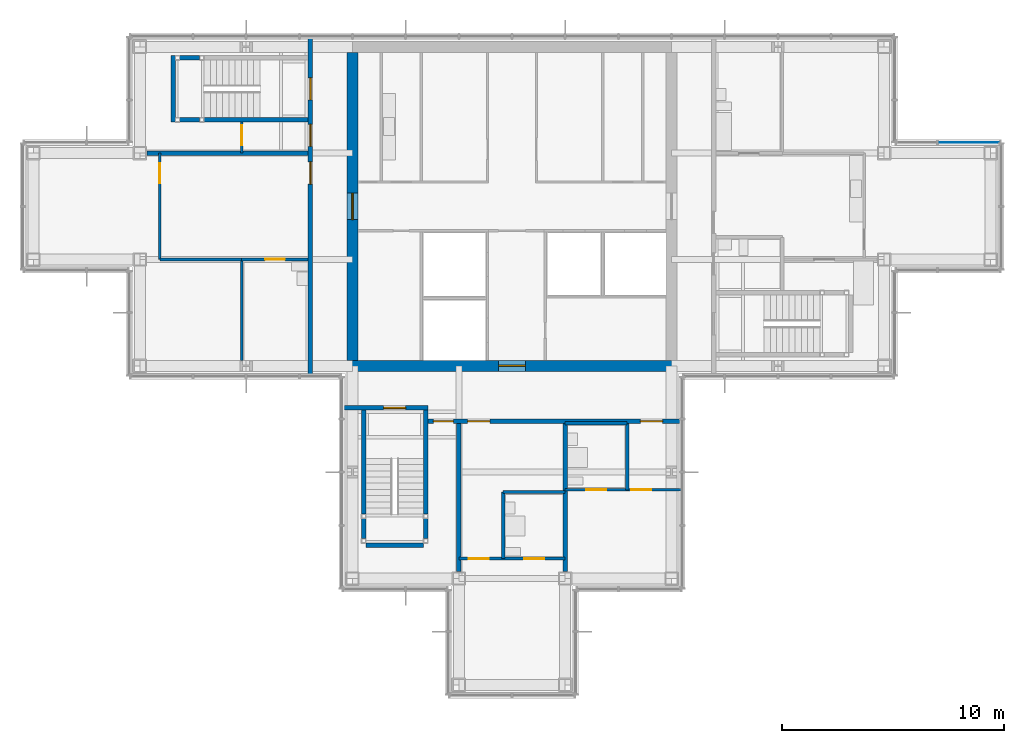
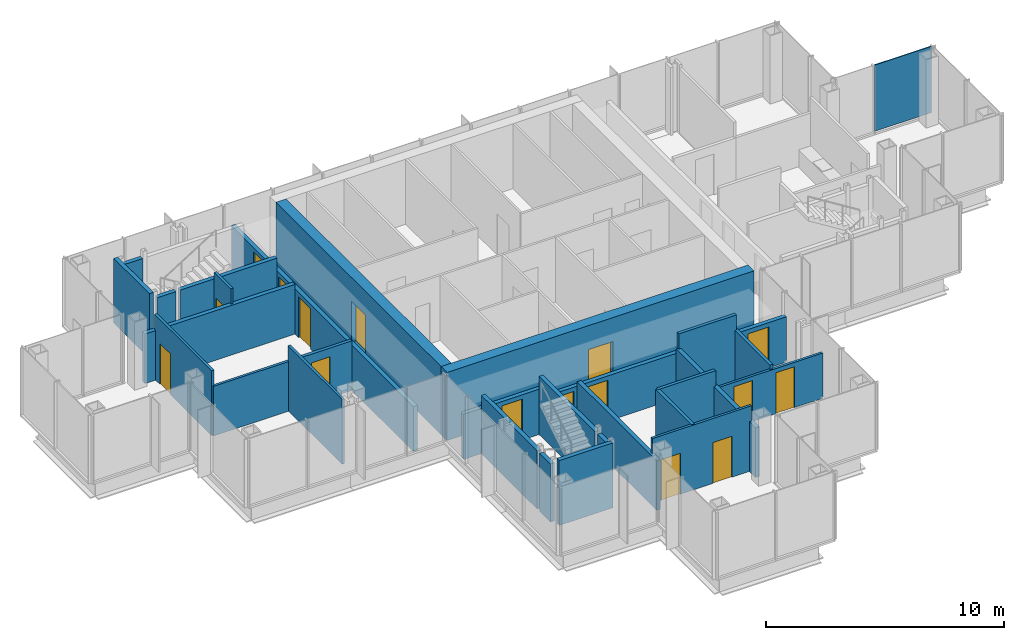
# One storey, part 10 of 15: 28 walls, 16 doors, 1 plate, 16 openings, 1 element without a shape of its own.
"""IFC4 building model written with IfcOpenShell, lengths in metres."""

from ifc_helpers import new_model, si_unit, direction, frame, frame_2d, origin, origin_2d, place, context, subcontext, project, spatial, rectangle, extrude, material, layer, layer_set, type_object, element, fill, aggregate, save


model = new_model("IFC4")

# Units and contexts
model_context = context("Model", 3, precision=1e-05, world=origin(), true_north=direction((0.0, 1.0)))
body_context = subcontext(model_context, "Body", "Model", "MODEL_VIEW")
ifc_project = project(units=[si_unit("LENGTHUNIT", "METRE"), si_unit("AREAUNIT", "SQUARE_METRE"), si_unit("VOLUMEUNIT", "CUBIC_METRE"), si_unit("PLANEANGLEUNIT", "RADIAN"), si_unit("MASSUNIT", "GRAM", prefix="KILO")], contexts=[model_context])

# Site, building, storey
site_placement = place(None, origin())
site = spatial("IfcSite", under=ifc_project, at=site_placement, CompositionType="ELEMENT")
building_placement = place(site_placement, origin())
building = spatial("IfcBuilding", under=site, at=building_placement, Name="Kvirike Care Tower", CompositionType="ELEMENT")
storey_placement = place(building_placement, frame((0.0, 0.0, 236.5)))
storey = spatial("IfcBuildingStorey", under=building, at=storey_placement, Name="L65", CompositionType="ELEMENT", Elevation=236.5)

# Curtain wall, plate
ifc_material_1 = material(Name="Anodised aluminium stick system", Category="aluminium")
curtain_wall_type = type_object("IfcCurtainWallType", Name="CW-D STICK CURTAIN WALL", PredefinedType="NOTDEFINED", material=ifc_material_1)
curtain_wall_placement = place(storey_placement, origin())
curtain_wall = element("IfcCurtainWall", 1, at=curtain_wall_placement, inside=storey, type_object=curtain_wall_type, Name="Curtain wall L65 face 5", PredefinedType="NOTDEFINED")
ifc_material_2 = material(Name="Tinted double glazed unit", Category="glass")
ifc_layer_1 = layer(ifc_material_2, 0.0439453125)
ifc_layer_set_1 = layer_set([ifc_layer_1], Name="TINTED VISION PANEL 44")
plate_type = type_object("IfcPlateType", Name="TINTED VISION PANEL 44", PredefinedType="CURTAIN_PANEL", material=ifc_layer_set_1)
plate_placement = place(storey_placement, frame((42.2236328125, 38.8798828125, 0.10009765625), z_axis=(0.0, 0.0, 1.0), x_axis=(-1.0, 0.0, 0.0)))
plate = element("IfcPlate", 2, at=plate_placement, type_object=plate_type, Name="CW-D panel L65 face 5.1", PredefinedType="CURTAIN_PANEL", context=body_context, shape_type="SweptSolid", body=[
    extrude(rectangle(XDim=2.782470703125, YDim=0.0439453125, at=origin_2d()), origin(), (0.0, 0.0, 1.0), 3.39990234375),
])
aggregate(curtain_wall, [plate])

# Wall, opening, door
ifc_material_3 = material(Name="Moisture-resistant board partition", Category="gypsum")
ifc_layer_2 = layer(ifc_material_3, 0.14990234375)
ifc_layer_set_2 = layer_set([ifc_layer_2], Name="BATHROOM WALL 150")
wall_type_1 = type_object("IfcWallType", Name="BATHROOM WALL 150", PredefinedType="PARTITIONING", material=ifc_layer_set_2)
wall_1_placement = place(storey_placement, frame((9.39990234375, 33.60009765625, 0.0), z_axis=(0.0, 0.0, 1.0), x_axis=(1.0, 0.0, 0.0)))
wall_1 = element("IfcWall", 3, at=wall_1_placement, inside=storey, type_object=wall_type_1, Name="Bathroom Wall 150 L65", PredefinedType="PARTITIONING", context=body_context, shape_type="SweptSolid", body=[
    extrude(rectangle(XDim=3.0, YDim=0.14990234375, at=frame_2d((1.5, 0.0))), origin(), (0.0, 0.0, 1.0), 2.550048828125),
])
opening_1_placement = place(wall_1_placement, frame((1.050048828125, 0.0, 0.0)))
opening_1 = element("IfcOpeningElement", 4, at=opening_1_placement, cuts=wall_1, Name="Opening 65-002", PredefinedType="OPENING", context=body_context, shape_type="SweptSolid", body=[
    extrude(rectangle(XDim=0.89990234375, YDim=2.10009765625, at=frame_2d((0.449951171875, 1.050048828125))), frame((0.0, 0.08544921875, 0.0), z_axis=(0.0, -1.0, 0.0), x_axis=(1.0, 0.0, 0.0)), (0.0, 0.0, 1.0), 0.1708984375),
])
ifc_material_4 = material(Name="Timber door set", Category="wood")
door_type_1 = type_object("IfcDoorType", Name="BATHROOM DOOR 900", OperationType="SINGLE_SWING_RIGHT", PredefinedType="DOOR", material=ifc_material_4)
door_1_placement = place(opening_1_placement, frame((0.89990234375, 0.0, 0.0), z_axis=(0.0, 0.0, 1.0), x_axis=(-1.0, 0.0, 0.0)))
door_1 = element("IfcDoor", 5, at=door_1_placement, inside=storey, type_object=door_type_1, Name="Accessible WC door", OperationType="SINGLE_SWING_RIGHT", OverallHeight=2.10009765625, OverallWidth=0.89990234375, PredefinedType="DOOR", context=body_context, shape_type="SweptSolid", body=[
    extrude(rectangle(XDim=0.89990234375, YDim=2.10009765625, at=frame_2d((0.449951171875, 1.050048828125))), frame((0.0, 0.02197265625, 0.0), z_axis=(0.0, -1.0, 0.0), x_axis=(1.0, 0.0, 0.0)), (0.0, 0.0, 1.0), 0.0439453125),
])
fill(opening_1, door_1)

# Walls
wall_2_placement = place(storey_placement, frame((21.199951171875, 20.10009765625, 0.0), z_axis=(0.0, 0.0, 1.0), x_axis=(0.0, 1.0, 0.0)))
element("IfcWall", 6, at=wall_2_placement, inside=storey, type_object=wall_type_1, Name="Bathroom Wall 150 L65", PredefinedType="PARTITIONING", context=body_context, shape_type="SweptSolid", body=[
    extrude(rectangle(XDim=3.0, YDim=0.14990234375, at=frame_2d((1.5, 0.0))), origin(), (0.0, 0.0, 1.0), 3.330078125),
])
wall_3_placement = place(storey_placement, frame((21.199951171875, 23.10009765625, 0.0), z_axis=(0.0, 0.0, 1.0), x_axis=(1.0, 0.0, 0.0)))
element("IfcWall", 7, at=wall_3_placement, inside=storey, type_object=wall_type_1, Name="Bathroom Wall 150 L65", PredefinedType="PARTITIONING", context=body_context, shape_type="SweptSolid", body=[
    extrude(rectangle(XDim=2.800048828125, YDim=0.14990234375, at=frame_2d((1.39990234375, 0.0))), origin(), (0.0, 0.0, 1.0), 3.330078125),
])
wall_4_placement = place(storey_placement, frame((26.800048828125, 23.199951171875, 0.0), z_axis=(0.0, 0.0, 1.0), x_axis=(0.0, 1.0, 0.0)))
element("IfcWall", 8, at=wall_4_placement, inside=storey, type_object=wall_type_1, Name="Bathroom Wall 150 L65", PredefinedType="PARTITIONING", context=body_context, shape_type="SweptSolid", body=[
    extrude(rectangle(XDim=3.0, YDim=0.14990234375, at=frame_2d((1.5, 0.0))), origin(), (0.0, 0.0, 1.0), 2.550048828125),
])
wall_5_placement = place(storey_placement, frame((24.0, 26.199951171875, 0.0), z_axis=(0.0, 0.0, 1.0), x_axis=(1.0, 0.0, 0.0)))
element("IfcWall", 9, at=wall_5_placement, inside=storey, type_object=wall_type_1, Name="Bathroom Wall 150 L65", PredefinedType="PARTITIONING", context=body_context, shape_type="SweptSolid", body=[
    extrude(rectangle(XDim=2.800048828125, YDim=0.14990234375, at=frame_2d((1.39990234375, 0.0))), origin(), (0.0, 0.0, 1.0), 3.330078125),
])

# Wall, opening, door
ifc_material_5 = material(Name="Concrete C40/50", Category="concrete")
ifc_layer_3 = layer(ifc_material_5, 0.5)
ifc_layer_set_3 = layer_set([ifc_layer_3], Name="CORE WALL 500 C40-50")
wall_type_2 = type_object("IfcWallType", Name="CORE WALL 500 C40-50", PredefinedType="SHEAR", material=ifc_layer_set_3)
wall_6_placement = place(storey_placement, frame((14.14990234375, 28.800048828125, -0.169921875), z_axis=(0.0, 0.0, 1.0), x_axis=(1.0, 0.0, 0.0)))
wall_6 = element("IfcWall", 10, at=wall_6_placement, inside=storey, type_object=wall_type_2, Name="Core wall S L65", PredefinedType="SHEAR", context=body_context, shape_type="SweptSolid", body=[
    extrude(rectangle(XDim=14.900146484375, YDim=0.5, at=frame_2d((7.4501953125, 0.0))), origin(), (0.0, 0.0, 1.0), 3.5),
])
opening_2_placement = place(wall_6_placement, frame((6.85009765625, 0.0, 0.169921875)))
opening_2 = element("IfcOpeningElement", 11, at=opening_2_placement, cuts=wall_6, Name="Opening 65-034", PredefinedType="OPENING", context=body_context, shape_type="SweptSolid", body=[
    extrude(rectangle(XDim=1.199951171875, YDim=2.10009765625, at=frame_2d((0.60009765625, 1.050048828125))), frame((0.0, 0.260498046875, 0.0), z_axis=(0.0, -1.0, 0.0), x_axis=(1.0, 0.0, 0.0)), (0.0, 0.0, 1.0), 0.52099609375),
])
ifc_material_6 = material(Name="Timber door set", Category="wood")
door_type_2 = type_object("IfcDoorType", Name="CORE DOOR 1200", OperationType="SINGLE_SWING_LEFT", PredefinedType="DOOR", material=ifc_material_6)
door_2_placement = place(opening_2_placement, origin())
door_2 = element("IfcDoor", 12, at=door_2_placement, inside=storey, type_object=door_type_2, Name="Core door S L65", OperationType="SINGLE_SWING_LEFT", OverallHeight=2.10009765625, OverallWidth=1.199951171875, PredefinedType="DOOR", context=body_context, shape_type="SweptSolid", body=[
    extrude(rectangle(XDim=1.199951171875, YDim=2.10009765625, at=frame_2d((0.60009765625, 1.050048828125))), frame((0.0, 0.02685546875, 0.0), z_axis=(0.0, -1.0, 0.0), x_axis=(1.0, 0.0, 0.0)), (0.0, 0.0, 1.0), 0.053955078125),
])
fill(opening_2, door_2)

wall_7_placement = place(storey_placement, frame((14.39990234375, 42.949951171875, -0.169921875), z_axis=(0.0, 0.0, 1.0), x_axis=(0.0, -1.0, 0.0)))
wall_7 = element("IfcWall", 13, at=wall_7_placement, inside=storey, type_object=wall_type_2, Name="Core wall W L65", PredefinedType="SHEAR", context=body_context, shape_type="SweptSolid", body=[
    extrude(rectangle(XDim=13.89990234375, YDim=0.5, at=frame_2d((6.949951171875, 0.0))), origin(), (0.0, 0.0, 1.0), 3.5),
])
opening_3_placement = place(wall_7_placement, frame((6.35009765625, 0.0, 0.169921875)))
opening_3 = element("IfcOpeningElement", 14, at=opening_3_placement, cuts=wall_7, Name="Opening 65-035", PredefinedType="OPENING", context=body_context, shape_type="SweptSolid", body=[
    extrude(rectangle(XDim=1.199951171875, YDim=2.10009765625, at=frame_2d((0.60009765625, 1.050048828125))), frame((0.0, 0.260498046875, 0.0), z_axis=(0.0, -1.0, 0.0), x_axis=(1.0, 0.0, 0.0)), (0.0, 0.0, 1.0), 0.52099609375),
])
door_3_placement = place(opening_3_placement, origin())
door_3 = element("IfcDoor", 15, at=door_3_placement, inside=storey, type_object=door_type_2, Name="Core door W L65", OperationType="SINGLE_SWING_LEFT", OverallHeight=2.10009765625, OverallWidth=1.199951171875, PredefinedType="DOOR", context=body_context, shape_type="SweptSolid", body=[
    extrude(rectangle(XDim=1.199951171875, YDim=2.10009765625, at=frame_2d((0.60009765625, 1.050048828125))), frame((0.0, 0.02685546875, 0.0), z_axis=(0.0, -1.0, 0.0), x_axis=(1.0, 0.0, 0.0)), (0.0, 0.0, 1.0), 0.053955078125),
])
fill(opening_3, door_3)

# Wall, openings, doors
ifc_material_7 = material(Name="Plasterboard corridor wall", Category="gypsum")
ifc_layer_4 = layer(ifc_material_7, 0.199951171875)
ifc_layer_set_4 = layer_set([ifc_layer_4], Name="CORRIDOR WALL 200")
wall_type_3 = type_object("IfcWallType", Name="CORRIDOR WALL 200", PredefinedType="PARTITIONING", material=ifc_layer_set_4)
wall_8_placement = place(storey_placement, frame((12.5, 43.655029296875, 0.0), z_axis=(0.0, 0.0, 1.0), x_axis=(0.0, -1.0, 0.0)))
wall_8 = element("IfcWall", 16, at=wall_8_placement, inside=storey, type_object=wall_type_3, Name="Corridor Wall 200 L65", PredefinedType="PARTITIONING", context=body_context, shape_type="SweptSolid", body=[
    extrude(rectangle(XDim=15.31005859375, YDim=0.199951171875, at=frame_2d((7.655029296875, 0.0))), origin(), (0.0, 0.0, 1.0), 2.320068359375),
])
opening_4_placement = place(wall_8_placement, frame((1.85498046875, 0.0, 0.0)))
opening_4 = element("IfcOpeningElement", 17, at=opening_4_placement, cuts=wall_8, Name="Opening 65-004", PredefinedType="OPENING", context=body_context, shape_type="SweptSolid", body=[
    extrude(rectangle(XDim=1.0, YDim=2.10009765625, at=frame_2d((0.5, 1.050048828125))), frame((0.0, 0.110595703125, 0.0), z_axis=(0.0, -1.0, 0.0), x_axis=(1.0, 0.0, 0.0)), (0.0, 0.0, 1.0), 0.220947265625),
])
opening_5_placement = place(wall_8_placement, frame((3.955078125, 0.0, 0.0)))
opening_5 = element("IfcOpeningElement", 18, at=opening_5_placement, cuts=wall_8, Name="Opening 65-005", PredefinedType="OPENING", context=body_context, shape_type="SweptSolid", body=[
    extrude(rectangle(XDim=1.0, YDim=2.10009765625, at=frame_2d((0.5, 1.050048828125))), frame((0.0, 0.110595703125, 0.0), z_axis=(0.0, -1.0, 0.0), x_axis=(1.0, 0.0, 0.0)), (0.0, 0.0, 1.0), 0.220947265625),
])
opening_6_placement = place(wall_8_placement, frame((5.655029296875, 0.0, 0.0)))
opening_6 = element("IfcOpeningElement", 19, at=opening_6_placement, cuts=wall_8, Name="Opening 65-006", PredefinedType="OPENING", context=body_context, shape_type="SweptSolid", body=[
    extrude(rectangle(XDim=1.0, YDim=2.10009765625, at=frame_2d((0.5, 1.050048828125))), frame((0.0, 0.110595703125, 0.0), z_axis=(0.0, -1.0, 0.0), x_axis=(1.0, 0.0, 0.0)), (0.0, 0.0, 1.0), 0.220947265625),
])
ifc_material_8 = material(Name="Timber door set", Category="wood")
door_type_3 = type_object("IfcDoorType", Name="FLAT ENTRANCE DOOR 1000", OperationType="SINGLE_SWING_LEFT", PredefinedType="DOOR", material=ifc_material_8)
door_4_placement = place(opening_5_placement, frame((1.0, 0.0, 0.0), z_axis=(0.0, 0.0, 1.0), x_axis=(-1.0, 0.0, 0.0)))
door_4 = element("IfcDoor", 20, at=door_4_placement, inside=storey, type_object=door_type_3, Name="Care base entrance", OperationType="SINGLE_SWING_LEFT", OverallHeight=2.10009765625, OverallWidth=1.0, PredefinedType="DOOR", context=body_context, shape_type="SweptSolid", body=[
    extrude(rectangle(XDim=1.0, YDim=2.10009765625, at=frame_2d((0.5, 1.050048828125))), frame((0.0, 0.02685546875, 0.0), z_axis=(0.0, -1.0, 0.0), x_axis=(1.0, 0.0, 0.0)), (0.0, 0.0, 1.0), 0.053955078125),
])
fill(opening_5, door_4)
door_5_placement = place(opening_6_placement, frame((1.0, 0.0, 0.0), z_axis=(0.0, 0.0, 1.0), x_axis=(-1.0, 0.0, 0.0)))
door_5 = element("IfcDoor", 21, at=door_5_placement, inside=storey, type_object=door_type_3, Name="Family room entrance", OperationType="SINGLE_SWING_LEFT", OverallHeight=2.10009765625, OverallWidth=1.0, PredefinedType="DOOR", context=body_context, shape_type="SweptSolid", body=[
    extrude(rectangle(XDim=1.0, YDim=2.10009765625, at=frame_2d((0.5, 1.050048828125))), frame((0.0, 0.02685546875, 0.0), z_axis=(0.0, -1.0, 0.0), x_axis=(1.0, 0.0, 0.0)), (0.0, 0.0, 1.0), 0.053955078125),
])
fill(opening_6, door_5)
ifc_material_9 = material(Name="Timber door set", Category="wood")
door_type_4 = type_object("IfcDoorType", Name="STAIR DOOR 1000", OperationType="SINGLE_SWING_LEFT", PredefinedType="DOOR", material=ifc_material_9)
door_6_placement = place(opening_4_placement, frame((1.0, 0.0, 0.0), z_axis=(0.0, 0.0, 1.0), x_axis=(-1.0, 0.0, 0.0)))
door_6 = element("IfcDoor", 22, at=door_6_placement, inside=storey, type_object=door_type_4, Name="Stair 1 door", OperationType="SINGLE_SWING_LEFT", OverallHeight=2.10009765625, OverallWidth=1.0, PredefinedType="DOOR", context=body_context, shape_type="SweptSolid", body=[
    extrude(rectangle(XDim=1.0, YDim=2.10009765625, at=frame_2d((0.5, 1.050048828125))), frame((0.0, 0.031982421875, 0.0), z_axis=(0.0, -1.0, 0.0), x_axis=(1.0, 0.0, 0.0)), (0.0, 0.0, 1.0), 0.06396484375),
])
fill(opening_4, door_6)

wall_9_placement = place(storey_placement, frame((17.800048828125, 26.300048828125, 0.0), z_axis=(0.0, 0.0, 1.0), x_axis=(1.0, 0.0, 0.0)))
wall_9 = element("IfcWall", 23, at=wall_9_placement, inside=storey, type_object=wall_type_3, Name="Corridor Wall 200 L65", PredefinedType="PARTITIONING", context=body_context, shape_type="SweptSolid", body=[
    extrude(rectangle(XDim=11.454833984375, YDim=0.199951171875, at=frame_2d((5.7275390625, 0.0))), origin(), (0.0, 0.0, 1.0), 2.320068359375),
])
opening_7_placement = place(wall_9_placement, frame((0.25, 0.0, 0.0)))
opening_7 = element("IfcOpeningElement", 24, at=opening_7_placement, cuts=wall_9, Name="Opening 65-012", PredefinedType="OPENING", context=body_context, shape_type="SweptSolid", body=[
    extrude(rectangle(XDim=0.89990234375, YDim=2.10009765625, at=frame_2d((0.449951171875, 1.050048828125))), frame((0.0, 0.110595703125, 0.0), z_axis=(0.0, -1.0, 0.0), x_axis=(1.0, 0.0, 0.0)), (0.0, 0.0, 1.0), 0.220947265625),
])
opening_8_placement = place(wall_9_placement, frame((1.800048828125, 0.0, 0.0)))
opening_8 = element("IfcOpeningElement", 25, at=opening_8_placement, cuts=wall_9, Name="Opening 65-013", PredefinedType="OPENING", context=body_context, shape_type="SweptSolid", body=[
    extrude(rectangle(XDim=1.0, YDim=2.10009765625, at=frame_2d((0.5, 1.050048828125))), frame((0.0, 0.110595703125, 0.0), z_axis=(0.0, -1.0, 0.0), x_axis=(1.0, 0.0, 0.0)), (0.0, 0.0, 1.0), 0.220947265625),
])
opening_9_placement = place(wall_9_placement, frame((9.60009765625, 0.0, 0.0)))
opening_9 = element("IfcOpeningElement", 26, at=opening_9_placement, cuts=wall_9, Name="Opening 65-014", PredefinedType="OPENING", context=body_context, shape_type="SweptSolid", body=[
    extrude(rectangle(XDim=1.0, YDim=2.10009765625, at=frame_2d((0.5, 1.050048828125))), frame((0.0, 0.110595703125, 0.0), z_axis=(0.0, -1.0, 0.0), x_axis=(1.0, 0.0, 0.0)), (0.0, 0.0, 1.0), 0.220947265625),
])
door_7_placement = place(opening_8_placement, frame((1.0, 0.0, 0.0), z_axis=(0.0, 0.0, 1.0), x_axis=(-1.0, 0.0, 0.0)))
door_7 = element("IfcDoor", 27, at=door_7_placement, inside=storey, type_object=door_type_3, Name="Palliative care suite entrance", OperationType="SINGLE_SWING_LEFT", OverallHeight=2.10009765625, OverallWidth=1.0, PredefinedType="DOOR", context=body_context, shape_type="SweptSolid", body=[
    extrude(rectangle(XDim=1.0, YDim=2.10009765625, at=frame_2d((0.5, 1.050048828125))), frame((0.0, 0.02685546875, 0.0), z_axis=(0.0, -1.0, 0.0), x_axis=(1.0, 0.0, 0.0)), (0.0, 0.0, 1.0), 0.053955078125),
])
fill(opening_8, door_7)
door_8_placement = place(opening_9_placement, frame((1.0, 0.0, 0.0), z_axis=(0.0, 0.0, 1.0), x_axis=(-1.0, 0.0, 0.0)))
door_8 = element("IfcDoor", 28, at=door_8_placement, inside=storey, type_object=door_type_3, Name="Palliative care suite entrance", OperationType="SINGLE_SWING_RIGHT", OverallHeight=2.10009765625, OverallWidth=1.0, PredefinedType="DOOR", context=body_context, shape_type="SweptSolid", body=[
    extrude(rectangle(XDim=1.0, YDim=2.10009765625, at=frame_2d((0.5, 1.050048828125))), frame((0.0, 0.02685546875, 0.0), z_axis=(0.0, -1.0, 0.0), x_axis=(1.0, 0.0, 0.0)), (0.0, 0.0, 1.0), 0.053955078125),
])
fill(opening_9, door_8)
ifc_material_10 = material(Name="Timber door set", Category="wood")
door_type_5 = type_object("IfcDoorType", Name="STORE DOOR 900", OperationType="SINGLE_SWING_LEFT", PredefinedType="DOOR", material=ifc_material_10)
door_9_placement = place(opening_7_placement, frame((0.89990234375, 0.0, 0.0), z_axis=(0.0, 0.0, 1.0), x_axis=(-1.0, 0.0, 0.0)))
door_9 = element("IfcDoor", 29, at=door_9_placement, inside=storey, type_object=door_type_5, Name="Housekeeping room door", OperationType="SINGLE_SWING_LEFT", OverallHeight=2.10009765625, OverallWidth=0.89990234375, PredefinedType="DOOR", context=body_context, shape_type="SweptSolid", body=[
    extrude(rectangle(XDim=0.89990234375, YDim=2.10009765625, at=frame_2d((0.449951171875, 1.050048828125))), frame((0.0, 0.02685546875, 0.0), z_axis=(0.0, -1.0, 0.0), x_axis=(1.0, 0.0, 0.0)), (0.0, 0.0, 1.0), 0.053955078125),
])
fill(opening_7, door_9)

# Wall, opening, door
ifc_material_11 = material(Name="Plasterboard partition", Category="gypsum")
ifc_layer_5 = layer(ifc_material_11, 0.1201171875)
ifc_layer_set_5 = layer_set([ifc_layer_5], Name="PARTITION 120")
wall_type_4 = type_object("IfcWallType", Name="PARTITION 120", PredefinedType="PARTITIONING", material=ifc_layer_set_5)
wall_10_placement = place(storey_placement, frame((9.39990234375, 39.800048828125, 0.0), z_axis=(0.0, 0.0, 1.0), x_axis=(0.0, -1.0, 0.0)))
wall_10 = element("IfcWall", 30, at=wall_10_placement, inside=storey, type_object=wall_type_4, Name="Partition 120 L65", PredefinedType="PARTITIONING", context=body_context, shape_type="SweptSolid", body=[
    extrude(rectangle(XDim=1.400146484375, YDim=0.1201171875, at=frame_2d((0.7001953125, 0.0))), origin(), (0.0, 0.0, 1.0), 3.330078125),
])
opening_10_placement = place(wall_10_placement, frame((0.14990234375, 0.0, 0.0)))
opening_10 = element("IfcOpeningElement", 31, at=opening_10_placement, cuts=wall_10, Name="Opening 65-001", PredefinedType="OPENING", context=body_context, shape_type="SweptSolid", body=[
    extrude(rectangle(XDim=0.89990234375, YDim=2.10009765625, at=frame_2d((0.449951171875, 1.050048828125))), frame((0.0, 0.070556640625, 0.0), z_axis=(0.0, -1.0, 0.0), x_axis=(1.0, 0.0, 0.0)), (0.0, 0.0, 1.0), 0.14111328125),
])
ifc_material_12 = material(Name="Timber door set", Category="wood")
door_type_6 = type_object("IfcDoorType", Name="INTERNAL DOOR 900", OperationType="SINGLE_SWING_LEFT", PredefinedType="DOOR", material=ifc_material_12)
door_10_placement = place(opening_10_placement, origin())
door_10 = element("IfcDoor", 32, at=door_10_placement, inside=storey, type_object=door_type_6, Name="Quiet room door", OperationType="SINGLE_SWING_RIGHT", OverallHeight=2.10009765625, OverallWidth=0.89990234375, PredefinedType="DOOR", context=body_context, shape_type="SweptSolid", body=[
    extrude(rectangle(XDim=0.89990234375, YDim=2.10009765625, at=frame_2d((0.449951171875, 1.050048828125))), frame((0.0, 0.02197265625, 0.0), z_axis=(0.0, -1.0, 0.0), x_axis=(1.0, 0.0, 0.0)), (0.0, 0.0, 1.0), 0.0439453125),
])
fill(opening_10, door_10)

wall_11_placement = place(storey_placement, frame((5.699951171875, 38.39990234375, 0.0), z_axis=(0.0, 0.0, 1.0), x_axis=(0.0, -1.0, 0.0)))
wall_11 = element("IfcWall", 33, at=wall_11_placement, inside=storey, type_object=wall_type_4, Name="Partition 120 L65", PredefinedType="PARTITIONING", context=body_context, shape_type="SweptSolid", body=[
    extrude(rectangle(XDim=4.7998046875, YDim=0.1201171875, at=frame_2d((2.39990234375, 0.0))), origin(), (0.0, 0.0, 1.0), 3.330078125),
])
opening_11_placement = place(wall_11_placement, frame((0.449951171875, 0.0, 0.0)))
opening_11 = element("IfcOpeningElement", 34, at=opening_11_placement, cuts=wall_11, Name="Opening 65-003", PredefinedType="OPENING", context=body_context, shape_type="SweptSolid", body=[
    extrude(rectangle(XDim=0.89990234375, YDim=2.10009765625, at=frame_2d((0.449951171875, 1.050048828125))), frame((0.0, 0.070556640625, 0.0), z_axis=(0.0, -1.0, 0.0), x_axis=(1.0, 0.0, 0.0)), (0.0, 0.0, 1.0), 0.14111328125),
])
door_11_placement = place(opening_11_placement, origin())
door_11 = element("IfcDoor", 35, at=door_11_placement, inside=storey, type_object=door_type_6, Name="Family room door", OperationType="SINGLE_SWING_RIGHT", OverallHeight=2.10009765625, OverallWidth=0.89990234375, PredefinedType="DOOR", context=body_context, shape_type="SweptSolid", body=[
    extrude(rectangle(XDim=0.89990234375, YDim=2.10009765625, at=frame_2d((0.449951171875, 1.050048828125))), frame((0.0, 0.02197265625, 0.0), z_axis=(0.0, -1.0, 0.0), x_axis=(1.0, 0.0, 0.0)), (0.0, 0.0, 1.0), 0.0439453125),
])
fill(opening_11, door_11)

# Walls
wall_12_placement = place(storey_placement, frame((9.39990234375, 33.60009765625, 0.0), z_axis=(0.0, 0.0, 1.0), x_axis=(0.0, -1.0, 0.0)))
element("IfcWall", 36, at=wall_12_placement, inside=storey, type_object=wall_type_4, Name="Partition 120 L65", PredefinedType="PARTITIONING", context=body_context, shape_type="SweptSolid", body=[
    extrude(rectangle(XDim=4.55615234375, YDim=0.1201171875, at=frame_2d((2.278076171875, 0.0))), origin(), (0.0, 0.0, 1.0), 3.330078125),
])
wall_13_placement = place(storey_placement, frame((5.699951171875, 33.60009765625, 0.0), z_axis=(0.0, 0.0, 1.0), x_axis=(1.0, 0.0, 0.0)))
element("IfcWall", 37, at=wall_13_placement, inside=storey, type_object=wall_type_4, Name="Partition 120 L65", PredefinedType="PARTITIONING", context=body_context, shape_type="SweptSolid", body=[
    extrude(rectangle(XDim=3.699951171875, YDim=0.1201171875, at=frame_2d((1.85009765625, 0.0))), origin(), (0.0, 0.0, 1.0), 2.550048828125),
])

# Wall, openings, doors
wall_14_placement = place(storey_placement, frame((19.199951171875, 20.10009765625, 0.0), z_axis=(0.0, 0.0, 1.0), x_axis=(1.0, 0.0, 0.0)))
wall_14 = element("IfcWall", 38, at=wall_14_placement, inside=storey, type_object=wall_type_4, Name="Partition 120 L65", PredefinedType="PARTITIONING", context=body_context, shape_type="SweptSolid", body=[
    extrude(rectangle(XDim=4.800048828125, YDim=0.1201171875, at=frame_2d((2.39990234375, 0.0))), origin(), (0.0, 0.0, 1.0), 3.330078125),
])
opening_12_placement = place(wall_14_placement, frame((0.449951171875, 0.0, 0.0)))
opening_12 = element("IfcOpeningElement", 39, at=opening_12_placement, cuts=wall_14, Name="Opening 65-008", PredefinedType="OPENING", context=body_context, shape_type="SweptSolid", body=[
    extrude(rectangle(XDim=0.89990234375, YDim=2.10009765625, at=frame_2d((0.449951171875, 1.050048828125))), frame((0.0, 0.070556640625, 0.0), z_axis=(0.0, -1.0, 0.0), x_axis=(1.0, 0.0, 0.0)), (0.0, 0.0, 1.0), 0.14111328125),
])
opening_13_placement = place(wall_14_placement, frame((2.949951171875, 0.0, 0.0)))
opening_13 = element("IfcOpeningElement", 40, at=opening_13_placement, cuts=wall_14, Name="Opening 65-009", PredefinedType="OPENING", context=body_context, shape_type="SweptSolid", body=[
    extrude(rectangle(XDim=0.89990234375, YDim=2.10009765625, at=frame_2d((0.449951171875, 1.050048828125))), frame((0.0, 0.070556640625, 0.0), z_axis=(0.0, -1.0, 0.0), x_axis=(1.0, 0.0, 0.0)), (0.0, 0.0, 1.0), 0.14111328125),
])
door_12_placement = place(opening_13_placement, origin())
door_12 = element("IfcDoor", 41, at=door_12_placement, inside=storey, type_object=door_type_1, Name="En-suite door", OperationType="SINGLE_SWING_RIGHT", OverallHeight=2.10009765625, OverallWidth=0.89990234375, PredefinedType="DOOR", context=body_context, shape_type="SweptSolid", body=[
    extrude(rectangle(XDim=0.89990234375, YDim=2.10009765625, at=frame_2d((0.449951171875, 1.050048828125))), frame((0.0, 0.02197265625, 0.0), z_axis=(0.0, -1.0, 0.0), x_axis=(1.0, 0.0, 0.0)), (0.0, 0.0, 1.0), 0.0439453125),
])
fill(opening_13, door_12)
door_13_placement = place(opening_12_placement, origin())
door_13 = element("IfcDoor", 42, at=door_13_placement, inside=storey, type_object=door_type_6, Name="Palliative care suite door", OperationType="SINGLE_SWING_RIGHT", OverallHeight=2.10009765625, OverallWidth=0.89990234375, PredefinedType="DOOR", context=body_context, shape_type="SweptSolid", body=[
    extrude(rectangle(XDim=0.89990234375, YDim=2.10009765625, at=frame_2d((0.449951171875, 1.050048828125))), frame((0.0, 0.02197265625, 0.0), z_axis=(0.0, -1.0, 0.0), x_axis=(1.0, 0.0, 0.0)), (0.0, 0.0, 1.0), 0.0439453125),
])
fill(opening_12, door_13)

wall_15_placement = place(storey_placement, frame((24.0, 23.199951171875, 0.0), z_axis=(0.0, 0.0, 1.0), x_axis=(1.0, 0.0, 0.0)))
wall_15 = element("IfcWall", 43, at=wall_15_placement, inside=storey, type_object=wall_type_4, Name="Partition 120 L65", PredefinedType="PARTITIONING", context=body_context, shape_type="SweptSolid", body=[
    extrude(rectangle(XDim=5.2548828125, YDim=0.1201171875, at=frame_2d((2.62744140625, 0.0))), origin(), (0.0, 0.0, 1.0), 2.320068359375),
])
opening_14_placement = place(wall_15_placement, frame((2.97509765625, 0.0, 0.0)))
opening_14 = element("IfcOpeningElement", 44, at=opening_14_placement, cuts=wall_15, Name="Opening 65-010", PredefinedType="OPENING", context=body_context, shape_type="SweptSolid", body=[
    extrude(rectangle(XDim=0.89990234375, YDim=2.10009765625, at=frame_2d((0.449951171875, 1.050048828125))), frame((0.0, 0.070556640625, 0.0), z_axis=(0.0, -1.0, 0.0), x_axis=(1.0, 0.0, 0.0)), (0.0, 0.0, 1.0), 0.14111328125),
])
opening_15_placement = place(wall_15_placement, frame((0.949951171875, 0.0, 0.0)))
opening_15 = element("IfcOpeningElement", 45, at=opening_15_placement, cuts=wall_15, Name="Opening 65-011", PredefinedType="OPENING", context=body_context, shape_type="SweptSolid", body=[
    extrude(rectangle(XDim=0.89990234375, YDim=2.10009765625, at=frame_2d((0.449951171875, 1.050048828125))), frame((0.0, 0.070556640625, 0.0), z_axis=(0.0, -1.0, 0.0), x_axis=(1.0, 0.0, 0.0)), (0.0, 0.0, 1.0), 0.14111328125),
])
door_14_placement = place(opening_15_placement, origin())
door_14 = element("IfcDoor", 46, at=door_14_placement, inside=storey, type_object=door_type_1, Name="En-suite door", OperationType="SINGLE_SWING_RIGHT", OverallHeight=2.10009765625, OverallWidth=0.89990234375, PredefinedType="DOOR", context=body_context, shape_type="SweptSolid", body=[
    extrude(rectangle(XDim=0.89990234375, YDim=2.10009765625, at=frame_2d((0.449951171875, 1.050048828125))), frame((0.0, 0.02197265625, 0.0), z_axis=(0.0, -1.0, 0.0), x_axis=(1.0, 0.0, 0.0)), (0.0, 0.0, 1.0), 0.0439453125),
])
fill(opening_15, door_14)
door_15_placement = place(opening_14_placement, origin())
door_15 = element("IfcDoor", 47, at=door_15_placement, inside=storey, type_object=door_type_6, Name="Palliative care suite door", OperationType="SINGLE_SWING_RIGHT", OverallHeight=2.10009765625, OverallWidth=0.89990234375, PredefinedType="DOOR", context=body_context, shape_type="SweptSolid", body=[
    extrude(rectangle(XDim=0.89990234375, YDim=2.10009765625, at=frame_2d((0.449951171875, 1.050048828125))), frame((0.0, 0.02197265625, 0.0), z_axis=(0.0, -1.0, 0.0), x_axis=(1.0, 0.0, 0.0)), (0.0, 0.0, 1.0), 0.0439453125),
])
fill(opening_14, door_15)

# Walls
ifc_material_13 = material(Name="Plasterboard party wall", Category="gypsum")
ifc_layer_6 = layer(ifc_material_13, 0.199951171875)
ifc_layer_set_6 = layer_set([ifc_layer_6], Name="PARTY WALL 200")
wall_type_5 = type_object("IfcWallType", Name="PARTY WALL 200", PredefinedType="PARTITIONING", material=ifc_layer_set_6)
wall_16_placement = place(storey_placement, frame((5.1201171875, 38.39990234375, 0.0), z_axis=(0.0, 0.0, 1.0), x_axis=(1.0, 0.0, 0.0)))
element("IfcWall", 48, at=wall_16_placement, inside=storey, type_object=wall_type_5, Name="Party Wall 200 L65", PredefinedType="PARTITIONING", context=body_context, shape_type="SweptSolid", body=[
    extrude(rectangle(XDim=7.27978515625, YDim=0.199951171875, at=frame_2d((3.639892578125, 0.0))), origin(), (0.0, 0.0, 1.0), 2.550048828125),
])
for number, where, z_axis, x_axis, name in (
    (49, (19.199951171875, 19.52001953125, 0.0), (0.0, 0.0, 1.0), (0.0, 1.0, 0.0), "Party Wall 200 L65"),
    (50, (24.0, 19.52001953125, 0.0), (0.0, 0.0, 1.0), (0.0, 1.0, 0.0), "Party Wall 200 L65"),
):
    element("IfcWall", number, at=place(storey_placement, frame(where, z_axis=z_axis, x_axis=x_axis)), inside=storey, type_object=wall_type_5, Name=name, PredefinedType="PARTITIONING", context=body_context, shape_type="SweptSolid", body=[
        extrude(rectangle(XDim=6.679931640625, YDim=0.199951171875, at=frame_2d((3.33984375, 0.0))), origin(), (0.0, 0.0, 1.0), 2.550048828125),
    ])
ifc_material_14 = material(Name="Concrete C40/50", Category="concrete")
ifc_layer_7 = layer(ifc_material_14, 0.199951171875)
ifc_layer_set_7 = layer_set([ifc_layer_7], Name="STAIR WALL 200")
wall_type_6 = type_object("IfcWallType", Name="STAIR WALL 200", PredefinedType="SOLIDWALL", material=ifc_layer_set_7)
for number, where, z_axis, x_axis, name in (
    (51, (6.60009765625, 42.699951171875, 0.0), (0.0, 0.0, 1.0), (1.0, 0.0, 0.0), "Stair Wall 200 L65"),
    (52, (6.60009765625, 39.89990234375, 0.0), (0.0, 0.0, 1.0), (1.0, 0.0, 0.0), "Stair Wall 200 L65"),
):
    element("IfcWall", number, at=place(storey_placement, frame(where, z_axis=z_axis, x_axis=x_axis)), inside=storey, type_object=wall_type_6, Name=name, PredefinedType="SOLIDWALL", context=body_context, shape_type="SweptSolid", body=[
        extrude(rectangle(XDim=0.89990234375, YDim=0.199951171875, at=frame_2d((0.449951171875, 0.0))), origin(), (0.0, 0.0, 1.0), 2.989990234375),
    ])
wall_17_placement = place(storey_placement, frame((7.699951171875, 39.89990234375, 0.0), z_axis=(0.0, 0.0, 1.0), x_axis=(1.0, 0.0, 0.0)))
element("IfcWall", 53, at=wall_17_placement, inside=storey, type_object=wall_type_6, Name="Stair Wall 200 L65", PredefinedType="SOLIDWALL", context=body_context, shape_type="SweptSolid", body=[
    extrude(rectangle(XDim=4.699951171875, YDim=0.199951171875, at=frame_2d((2.35009765625, 0.0))), origin(), (0.0, 0.0, 1.0), 2.989990234375),
])
wall_18_placement = place(storey_placement, frame((6.300048828125, 42.800048828125, 0.0), z_axis=(0.0, 0.0, 1.0), x_axis=(0.0, -1.0, 0.0)))
element("IfcWall", 54, at=wall_18_placement, inside=storey, type_object=wall_type_6, Name="Stair Wall 200 L65", PredefinedType="SOLIDWALL", context=body_context, shape_type="SweptSolid", body=[
    extrude(rectangle(XDim=3.0, YDim=0.199951171875, at=frame_2d((1.5, 0.0))), origin(), (0.0, 0.0, 1.0), 3.330078125),
])
wall_19_placement = place(storey_placement, frame((14.89990234375, 21.0, 0.0), z_axis=(0.0, 0.0, 1.0), x_axis=(0.0, 1.0, 0.0)))
element("IfcWall", 55, at=wall_19_placement, inside=storey, type_object=wall_type_6, Name="Stair Wall 200 L65", PredefinedType="SOLIDWALL", context=body_context, shape_type="SweptSolid", body=[
    extrude(rectangle(XDim=0.89990234375, YDim=0.199951171875, at=frame_2d((0.449951171875, 0.0))), origin(), (0.0, 0.0, 1.0), 2.989990234375),
])
wall_20_placement = place(storey_placement, frame((14.89990234375, 22.10009765625, 0.0), z_axis=(0.0, 0.0, 1.0), x_axis=(0.0, 1.0, 0.0)))
element("IfcWall", 56, at=wall_20_placement, inside=storey, type_object=wall_type_6, Name="Stair Wall 200 L65", PredefinedType="SOLIDWALL", context=body_context, shape_type="SweptSolid", body=[
    extrude(rectangle(XDim=4.699951171875, YDim=0.199951171875, at=frame_2d((2.35009765625, 0.0))), origin(), (0.0, 0.0, 1.0), 2.989990234375),
])
wall_21_placement = place(storey_placement, frame((17.699951171875, 21.0, 0.0), z_axis=(0.0, 0.0, 1.0), x_axis=(0.0, 1.0, 0.0)))
element("IfcWall", 57, at=wall_21_placement, inside=storey, type_object=wall_type_6, Name="Stair Wall 200 L65", PredefinedType="SOLIDWALL", context=body_context, shape_type="SweptSolid", body=[
    extrude(rectangle(XDim=0.89990234375, YDim=0.199951171875, at=frame_2d((0.449951171875, 0.0))), origin(), (0.0, 0.0, 1.0), 2.989990234375),
])
wall_22_placement = place(storey_placement, frame((17.699951171875, 22.10009765625, 0.0), z_axis=(0.0, 0.0, 1.0), x_axis=(0.0, 1.0, 0.0)))
element("IfcWall", 58, at=wall_22_placement, inside=storey, type_object=wall_type_6, Name="Stair Wall 200 L65", PredefinedType="SOLIDWALL", context=body_context, shape_type="SweptSolid", body=[
    extrude(rectangle(XDim=4.699951171875, YDim=0.199951171875, at=frame_2d((2.35009765625, 0.0))), origin(), (0.0, 0.0, 1.0), 2.989990234375),
])
wall_23_placement = place(storey_placement, frame((15.0, 20.699951171875, 0.0), z_axis=(0.0, 0.0, 1.0), x_axis=(1.0, 0.0, 0.0)))
element("IfcWall", 59, at=wall_23_placement, inside=storey, type_object=wall_type_6, Name="Stair Wall 200 L65", PredefinedType="SOLIDWALL", context=body_context, shape_type="SweptSolid", body=[
    extrude(rectangle(XDim=2.60009765625, YDim=0.199951171875, at=frame_2d((1.300048828125, 0.0))), origin(), (0.0, 0.0, 1.0), 3.330078125),
])

# Wall, opening, door
wall_24_placement = place(storey_placement, frame((13.945068359375, 26.89990234375, 0.0), z_axis=(0.0, 0.0, 1.0), x_axis=(1.0, 0.0, 0.0)))
wall_24 = element("IfcWall", 60, at=wall_24_placement, inside=storey, type_object=wall_type_6, Name="Stair Wall 200 L65", PredefinedType="SOLIDWALL", context=body_context, shape_type="SweptSolid", body=[
    extrude(rectangle(XDim=3.85498046875, YDim=0.199951171875, at=frame_2d((1.927490234375, 0.0))), origin(), (0.0, 0.0, 1.0), 2.320068359375),
])
opening_16_placement = place(wall_24_placement, frame((1.85498046875, 0.0, 0.0)))
opening_16 = element("IfcOpeningElement", 61, at=opening_16_placement, cuts=wall_24, Name="Opening 65-007", PredefinedType="OPENING", context=body_context, shape_type="SweptSolid", body=[
    extrude(rectangle(XDim=1.0, YDim=2.10009765625, at=frame_2d((0.5, 1.050048828125))), frame((0.0, 0.110595703125, 0.0), z_axis=(0.0, -1.0, 0.0), x_axis=(1.0, 0.0, 0.0)), (0.0, 0.0, 1.0), 0.220947265625),
])
door_16_placement = place(opening_16_placement, frame((1.0, 0.0, 0.0), z_axis=(0.0, 0.0, 1.0), x_axis=(-1.0, 0.0, 0.0)))
door_16 = element("IfcDoor", 62, at=door_16_placement, inside=storey, type_object=door_type_4, Name="Stair 5 door", OperationType="SINGLE_SWING_LEFT", OverallHeight=2.10009765625, OverallWidth=1.0, PredefinedType="DOOR", context=body_context, shape_type="SweptSolid", body=[
    extrude(rectangle(XDim=1.0, YDim=2.10009765625, at=frame_2d((0.5, 1.050048828125))), frame((0.0, 0.031982421875, 0.0), z_axis=(0.0, -1.0, 0.0), x_axis=(1.0, 0.0, 0.0)), (0.0, 0.0, 1.0), 0.06396484375),
])
fill(opening_16, door_16)

save(model, "model.ifc")
